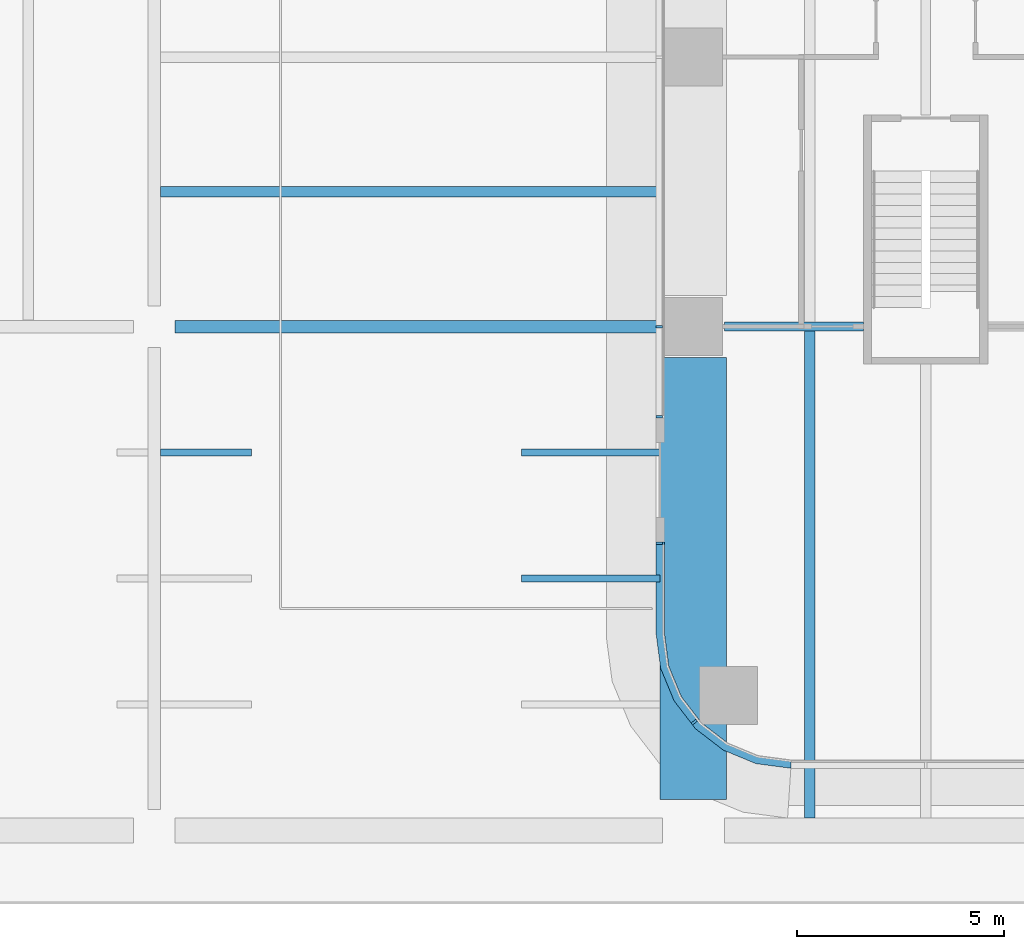
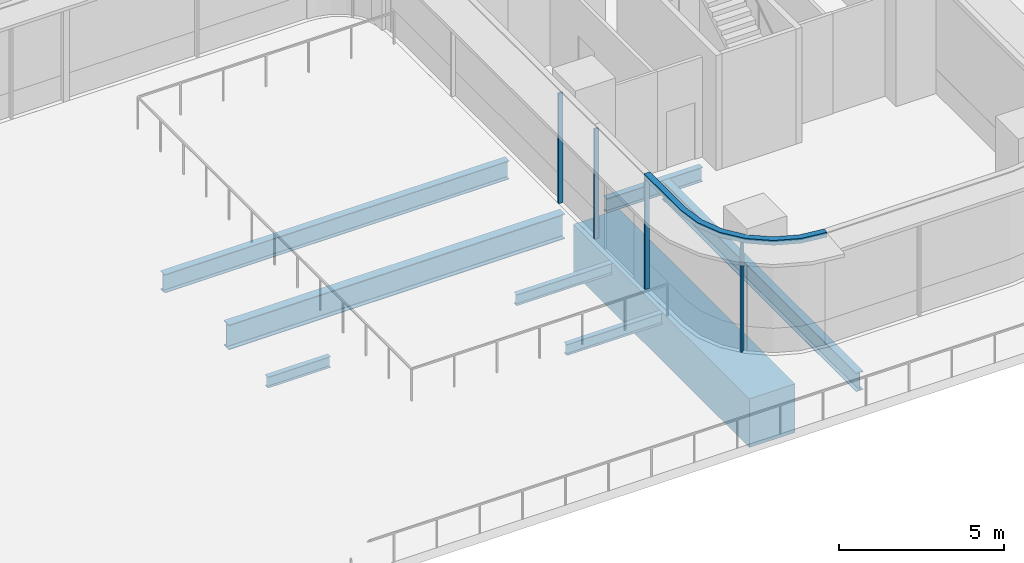
# One storey, part 2 of 29: 8 beams, 5 members, 2 elements without a shape of their own.
"""IFC4 building model written with IfcOpenShell, lengths in metres."""

import ifcopenshell
import ifcopenshell.guid

model = None  # the IFC model being written
_history = None  # IfcOwnerHistory: only IFC2X3 demands one
_inside = {}  # id of a spatial element -> (the spatial element, [elements in it])
_under = {}  # id of a project, library or spatial element -> (it, [spatial elements below it])
_declared = {}  # id of a project -> (the project, [libraries it declares])
_typed = {}  # id of a type object -> (the type object, [elements of that type])
_made_of = {}  # id of a material, layer set ... -> (it, [elements and type objects made of it])


def new_model(schema):
    """Start an empty IFC model of exactly this schema.

    Asked for "IFC4X3", IfcOpenShell would pick the latest addendum, in which some entities
    have other attributes; the version numbers below select the first issue.
    IFC2X3 requires an IfcOwnerHistory on every rooted entity: one is made here for all.
    """
    global model, _history
    if schema == "IFC4X3":
        model = ifcopenshell.file(schema_version=(4, 3, 0, 0))
    else:
        model = ifcopenshell.file(schema=schema)
    _inside.clear()
    _under.clear()
    _declared.clear()
    _typed.clear()
    _made_of.clear()
    _history = None
    if model.schema == "IFC2X3":
        org = make("IfcOrganization", Name="unknown")
        user = make(
            "IfcPersonAndOrganization",
            ThePerson=make("IfcPerson", FamilyName="unknown"),
            TheOrganization=org,
        )
        app = make(
            "IfcApplication",
            ApplicationDeveloper=org,
            Version="unknown",
            ApplicationFullName="unknown",
            ApplicationIdentifier="unknown",
        )
        _history = make(
            "IfcOwnerHistory",
            OwningUser=user,
            OwningApplication=app,
            ChangeAction="ADDED",
            CreationDate=0,
        )
    return model


def make(cls, **values):
    """One entity of the class cls with the attributes given. An attribute that is None is left unset."""
    return model.create_entity(
        cls, **{name: value for name, value in values.items() if value is not None}
    )


def rooted(cls, **values):
    """An entity with a GlobalId (a new one), such as an element, a storey or a relation."""
    return make(cls, GlobalId=ifcopenshell.guid.new(), OwnerHistory=_history, **values)


def si_unit(unit_type, name, prefix=None):
    """IfcSIUnit, for example si_unit("LENGTHUNIT", "METRE", prefix="MILLI")."""
    return make("IfcSIUnit", UnitType=unit_type, Prefix=prefix, Name=name)


def assignment(units):
    """IfcUnitAssignment: the units of a project."""
    return None if units is None else make("IfcUnitAssignment", Units=units)


def point(xyz):
    """IfcCartesianPoint."""
    return None if xyz is None else make("IfcCartesianPoint", Coordinates=xyz)


def direction(xyz):
    """IfcDirection."""
    return None if xyz is None else make("IfcDirection", DirectionRatios=xyz)


def frame(location, z_axis=None, x_axis=None):
    """IfcAxis2Placement3D, a coordinate frame: its origin and axes. An axis left out is left unset."""
    return make(
        "IfcAxis2Placement3D",
        Location=point(location),
        Axis=direction(z_axis),
        RefDirection=direction(x_axis),
    )


def frame_2d(location, x_axis=None):
    """IfcAxis2Placement2D, a coordinate frame in the plane: its origin and x axis."""
    return make(
        "IfcAxis2Placement2D", Location=point(location), RefDirection=direction(x_axis)
    )


def origin():
    """The frame at (0, 0, 0) with its axes left unset."""
    return frame((0.0, 0.0, 0.0))


def origin_2d():
    """The frame at (0, 0) in the plane with its x axis left unset."""
    return frame_2d((0.0, 0.0))


def place(relative_to, where):
    """IfcLocalPlacement: puts the frame where relative to a parent placement (None: the world)."""
    return make(
        "IfcLocalPlacement", PlacementRelTo=relative_to, RelativePlacement=where
    )


def context(
    kind, dimensions, precision=None, world=None, true_north=None, identifier=None
):
    """IfcGeometricRepresentationContext, for example the 3D "Model" context."""
    return make(
        "IfcGeometricRepresentationContext",
        ContextIdentifier=identifier,
        ContextType=kind,
        CoordinateSpaceDimension=dimensions,
        Precision=precision,
        WorldCoordinateSystem=world,
        TrueNorth=true_north,
    )


def subcontext(parent, identifier, kind, view, scale=None):
    """IfcGeometricRepresentationSubContext, for example "Body" below "Model"."""
    return make(
        "IfcGeometricRepresentationSubContext",
        ContextIdentifier=identifier,
        ContextType=kind,
        ParentContext=parent,
        TargetScale=scale,
        TargetView=view,
    )


def project(units=None, contexts=None):
    """IfcProject with its units and contexts."""
    return rooted(
        "IfcProject",
        Name="project",
        RepresentationContexts=contexts,
        UnitsInContext=assignment(units),
    )


def spatial(cls, under=None, at=None, **own):
    """A site, building, storey or space (cls), placed at a placement, below another one or the project."""
    s = rooted(cls, ObjectPlacement=at, **own)
    if under is not None:
        _under.setdefault(under.id(), (under, []))[1].append(s)
    return s


def polyline(points):
    """IfcPolyline through the points."""
    return make("IfcPolyline", Points=[point(p) for p in points])


def profile(cls, at=None, kind="AREA", **sizes):
    """A parametric profile (cls). Its sizes go by their IFC names, for example OverallWidth=200.0."""
    return make(cls, ProfileType=kind, Position=at, **sizes)


def rectangle(**sizes):
    """IfcRectangleProfileDef."""
    return profile("IfcRectangleProfileDef", **sizes)


def i_section(**sizes):
    """IfcIShapeProfileDef."""
    return profile("IfcIShapeProfileDef", **sizes)


def outline(outer, holes=None, kind="AREA"):
    """IfcArbitraryClosedProfileDef: a profile drawn as a closed curve; with holes, ...WithVoids."""
    if holes is None:
        return make("IfcArbitraryClosedProfileDef", ProfileType=kind, OuterCurve=outer)
    return make(
        "IfcArbitraryProfileDefWithVoids",
        ProfileType=kind,
        OuterCurve=outer,
        InnerCurves=holes,
    )


def extrude(swept, where, along, depth):
    """IfcExtrudedAreaSolid: the profile swept, set in the frame where, extruded along a direction by depth."""
    return make(
        "IfcExtrudedAreaSolid",
        SweptArea=swept,
        Position=where,
        ExtrudedDirection=direction(along),
        Depth=depth,
    )


def shape(context_of_items, identifier, shape_type, items):
    """IfcShapeRepresentation: the items that make up one representation, for example the "Body"."""
    return make(
        "IfcShapeRepresentation",
        ContextOfItems=context_of_items,
        RepresentationIdentifier=identifier,
        RepresentationType=shape_type,
        Items=items,
    )


def source(mapping_origin, context_of_items, identifier, shape_type, items):
    """IfcRepresentationMap: a shape defined once, which mapped items show again and again."""
    return make(
        "IfcRepresentationMap",
        MappingOrigin=mapping_origin,
        MappedRepresentation=shape(context_of_items, identifier, shape_type, items),
    )


def transform(
    local_origin,
    x_axis=None,
    y_axis=None,
    z_axis=None,
    scale=None,
    scale2=None,
    scale3=None,
    uniform=True,
):
    """IfcCartesianTransformationOperator3D, or its non-uniform kind. x_axis, y_axis, z_axis: its Axis1, 2, 3."""
    if uniform:
        return make(
            "IfcCartesianTransformationOperator3D",
            Axis1=direction(x_axis),
            Axis2=direction(y_axis),
            LocalOrigin=point(local_origin),
            Scale=scale,
            Axis3=direction(z_axis),
        )
    return make(
        "IfcCartesianTransformationOperator3DnonUniform",
        Axis1=direction(x_axis),
        Axis2=direction(y_axis),
        LocalOrigin=point(local_origin),
        Scale=scale,
        Axis3=direction(z_axis),
        Scale2=scale2,
        Scale3=scale3,
    )


def mapped(mapping_source, mapping_target):
    """IfcMappedItem: shows the shape of a source again, moved by a transform."""
    return make(
        "IfcMappedItem", MappingSource=mapping_source, MappingTarget=mapping_target
    )


def material(Name=None, Category=None):
    """IfcMaterial."""
    return make("IfcMaterial", Name=Name, Category=Category)


def layer(
    of_material, thickness, ventilated=None, Name=None, Category=None, Priority=None
):
    """IfcMaterialLayer: one layer of a wall or slab, of a material (None: an air gap)."""
    return make(
        "IfcMaterialLayer",
        Material=of_material,
        LayerThickness=thickness,
        IsVentilated=ventilated,
        Name=Name,
        Category=Category,
        Priority=Priority,
    )


def layer_set(layers, Name=None):
    """IfcMaterialLayerSet."""
    return make("IfcMaterialLayerSet", MaterialLayers=layers, LayerSetName=Name)


def material_profile(
    of_material, cross_section, Name=None, Category=None, Priority=None
):
    """IfcMaterialProfile: a cross section and its material."""
    return make(
        "IfcMaterialProfile",
        Name=Name,
        Material=of_material,
        Profile=cross_section,
        Priority=Priority,
        Category=Category,
    )


def profile_set(profiles, Name=None, composite=None):
    """IfcMaterialProfileSet."""
    return make(
        "IfcMaterialProfileSet",
        Name=Name,
        MaterialProfiles=profiles,
        CompositeProfile=composite,
    )


def made_of(thing, what):
    """Note that an element or type object is made of a material, layer set ...; save() writes the relation."""
    if what is not None:
        _made_of.setdefault(what.id(), (what, []))[1].append(thing)
    return thing


def type_object(cls, material=None, **own):
    """A type object (cls), such as IfcWallType, which elements share."""
    return made_of(rooted(cls, **own), material)


def element(
    cls,
    number,
    at=None,
    inside=None,
    cuts=None,
    type_object=None,
    material=None,
    context=None,
    identifier="Body",
    shape_type=None,
    held_by="IfcProductDefinitionShape",
    body=None,
    shapes=None,
    **own,
):
    """One element of the class cls, such as IfcWall. Its Tag is "e" and its number.

    at: its placement. inside: the storey or other place that contains it. cuts: it is an
    opening in that element (IfcRelVoidsElement). A single representation is given by context,
    identifier, shape_type and body (its items); several are given by shapes. held_by: the class
    of the entity that holds the representations. save() writes the other relations.
    """
    e = rooted(cls, Tag="e%d" % number, ObjectPlacement=at, **own)
    if body is not None:
        shapes = [shape(context, identifier, shape_type, body)]
    if shapes is not None:
        e.Representation = make(held_by, Representations=shapes)
    if inside is not None:
        _inside.setdefault(inside.id(), (inside, []))[1].append(e)
    if cuts is not None:
        rooted(
            "IfcRelVoidsElement", RelatingBuildingElement=cuts, RelatedOpeningElement=e
        )
    if type_object is not None:
        _typed.setdefault(type_object.id(), (type_object, []))[1].append(e)
    return made_of(e, material)


def aggregate(whole, parts):
    """IfcRelAggregates: a whole, such as a stair, and the parts it consists of."""
    return rooted("IfcRelAggregates", RelatingObject=whole, RelatedObjects=parts)


def save(model, path):
    """Write the relations noted so far, then the file.

    IfcRelAggregates (storeys below a building ...), IfcRelContainedInSpatialStructure (elements
    in a storey), IfcRelDefinesByType, IfcRelAssociatesMaterial and IfcRelDeclares: one each for
    every whole, place, type object, material and project.
    """
    for whole, parts in _under.values():
        aggregate(whole, parts)
    for where, things in _inside.values():
        rooted(
            "IfcRelContainedInSpatialStructure",
            RelatedElements=things,
            RelatingStructure=where,
        )
    for kind, things in _typed.values():
        rooted("IfcRelDefinesByType", RelatedObjects=things, RelatingType=kind)
    for what, things in _made_of.values():
        rooted("IfcRelAssociatesMaterial", RelatedObjects=things, RelatingMaterial=what)
    for by, libraries in _declared.values():
        rooted("IfcRelDeclares", RelatingContext=by, RelatedDefinitions=libraries)
    model.write(path)


model = new_model("IFC4")

# Units and contexts
model_context = context("Model", 3, precision=1e-05, world=origin(), true_north=direction((0.0, 1.0)))
body_context = subcontext(model_context, "Body", "Model", "MODEL_VIEW")
ifc_project = project(units=[si_unit("LENGTHUNIT", "METRE"), si_unit("AREAUNIT", "SQUARE_METRE"), si_unit("VOLUMEUNIT", "CUBIC_METRE"), si_unit("PLANEANGLEUNIT", "RADIAN"), si_unit("MASSUNIT", "GRAM", prefix="KILO")], contexts=[model_context])

# Site, building, storey
site_placement = place(None, origin())
site = spatial("IfcSite", under=ifc_project, at=site_placement, CompositionType="ELEMENT")
building_placement = place(site_placement, origin())
building = spatial("IfcBuilding", under=site, at=building_placement, Name="Trellis Farm Tower", CompositionType="ELEMENT")
storey_placement = place(building_placement, frame((0.0, 0.0, 34.0)))
storey = spatial("IfcBuildingStorey", under=building, at=storey_placement, Name="L06", CompositionType="ELEMENT", Elevation=34.0)

# Beams
ifc_material_1 = material(Name="Steel S355", Category="steel")
ifc_material_profile_1 = material_profile(ifc_material_1, i_section(OverallWidth=0.177978515625, OverallDepth=0.406494140625, WebThickness=0.0078125, FlangeThickness=0.0126953125, FilletRadius=0.01025390625, at=origin_2d()), Name="UB 406x178x60")
ifc_profile_set_1 = profile_set([ifc_material_profile_1], Name="Steel S355")
beam_type_1 = type_object("IfcBeamType", Name="UB 406x178x60 joist", PredefinedType="JOIST", material=ifc_profile_set_1)
shared_shape_1 = source(origin(), body_context, "Body", "SweptSolid", [
    extrude(i_section(OverallWidth=0.177978515625, OverallDepth=0.406494140625, WebThickness=0.0078125, FlangeThickness=0.0126953125, FilletRadius=0.01025390625, at=origin_2d()), origin(), (0.0, 0.0, 1.0), 2.197265625),
])
beam_1_placement = place(storey_placement, frame((-18.447265625, -21.637451171875, -0.55322265625), z_axis=(1.0, 0.0, 0.0), x_axis=(0.0, 1.0, 0.0)))
element("IfcBeam", 1, at=beam_1_placement, inside=storey, type_object=beam_type_1, Name="Floor beam", PredefinedType="JOIST", context=body_context, shape_type="MappedRepresentation", body=[
    mapped(shared_shape_1, transform((0.0, 0.0, 0.0))),
])
ifc_material_profile_2 = material_profile(ifc_material_1, i_section(OverallWidth=0.209228515625, OverallDepth=0.533203125, WebThickness=0.010009765625, FlangeThickness=0.015625, FilletRadius=0.0126953125, at=origin_2d()), Name="UB 533x210x92")
ifc_profile_set_2 = profile_set([ifc_material_profile_2], Name="Steel S355")
beam_type_2 = type_object("IfcBeamType", Name="UB 533x210x92", PredefinedType="BEAM", material=ifc_profile_set_2)
shared_shape_2 = source(origin(), body_context, "Body", "SweptSolid", [
    extrude(i_section(OverallWidth=0.209228515625, OverallDepth=0.533203125, WebThickness=0.010009765625, FlangeThickness=0.015625, FilletRadius=0.0126953125, at=origin_2d()), origin(), (0.0, 0.0, 1.0), 3.35009765625),
])
beam_2_placement = place(storey_placement, frame((-4.85009765625, -18.60009765625, -0.61669921875), z_axis=(1.0, 0.0, 0.0), x_axis=(0.0, 1.0, 0.0)))
element("IfcBeam", 2, at=beam_2_placement, inside=storey, type_object=beam_type_2, Name="Girder", PredefinedType="BEAM", context=body_context, shape_type="MappedRepresentation", body=[
    mapped(shared_shape_2, transform((0.0, 0.0, 0.0))),
])
ifc_material_profile_3 = material_profile(ifc_material_1, i_section(OverallWidth=0.305419921875, OverallDepth=0.91845703125, WebThickness=0.017333984375, FlangeThickness=0.02783203125, FilletRadius=0.01904296875, at=origin_2d()), Name="UB 914x305x253")
ifc_profile_set_3 = profile_set([ifc_material_profile_3], Name="Steel S355")
beam_type_3 = type_object("IfcBeamType", Name="UB 914x305x253", PredefinedType="BEAM", material=ifc_profile_set_3)
shared_shape_3 = source(origin(), body_context, "Body", "SweptSolid", [
    extrude(i_section(OverallWidth=0.305419921875, OverallDepth=0.91845703125, WebThickness=0.017333984375, FlangeThickness=0.02783203125, FilletRadius=0.01904296875, at=origin_2d()), origin(), (0.0, 0.0, 1.0), 11.75),
])
beam_3_placement = place(storey_placement, frame((-18.10009765625, -18.60009765625, -0.80908203125), z_axis=(1.0, 0.0, 0.0), x_axis=(0.0, 1.0, 0.0)))
element("IfcBeam", 3, at=beam_3_placement, inside=storey, type_object=beam_type_3, Name="Girder", PredefinedType="BEAM", context=body_context, shape_type="MappedRepresentation", body=[
    mapped(shared_shape_3, transform((0.0, 0.0, 0.0))),
])
ifc_material_2 = material(Name="Concrete C80/95", Category="concrete")
ifc_material_profile_4 = material_profile(ifc_material_2, rectangle(XDim=1.60009765625, YDim=1.800048828125, at=origin_2d()), Name="RC transfer beam 1600x1800 C80/95")
ifc_profile_set_4 = profile_set([ifc_material_profile_4], Name="Concrete C80/95")
beam_type_4 = type_object("IfcBeamType", Name="RC transfer beam 1600x1800 C80/95", PredefinedType="BEAM", material=ifc_profile_set_4)
shared_shape_4 = source(origin(), body_context, "Body", "SweptSolid", [
    extrude(rectangle(XDim=1.60009765625, YDim=1.800048828125, at=origin_2d()), origin(), (0.0, 0.0, 1.0), 10.64990234375),
])
beam_4_placement = place(storey_placement, frame((-5.60009765625, -30.0, -1.25), z_axis=(0.0, 1.0, 0.0), x_axis=(-1.0, 0.0, 0.0)))
element("IfcBeam", 4, at=beam_4_placement, inside=storey, type_object=beam_type_4, Name="Transfer girder", PredefinedType="BEAM", context=body_context, shape_type="MappedRepresentation", body=[
    mapped(shared_shape_4, transform((0.0, 0.0, 0.0))),
])
shared_shape_5 = source(origin(), body_context, "Body", "SweptSolid", [
    extrude(i_section(OverallWidth=0.177978515625, OverallDepth=0.406494140625, WebThickness=0.0078125, FlangeThickness=0.0126953125, FilletRadius=0.01025390625, at=origin_2d()), origin(), (0.0, 0.0, 1.0), 3.35009765625),
])
for number, where, z_axis, x_axis, name in (
    (5, (-9.75, -24.675048828125, -0.55322265625), (1.0, 0.0, 0.0), (0.0, 1.0, 0.0), "Floor beam"),
    (6, (-9.75, -21.637451171875, -0.55322265625), (1.0, 0.0, 0.0), (0.0, 1.0, 0.0), "Floor beam"),
):
    element("IfcBeam", number, at=place(storey_placement, frame(where, z_axis=z_axis, x_axis=x_axis)), inside=storey, type_object=beam_type_1, Name=name, PredefinedType="JOIST", context=body_context, shape_type="MappedRepresentation", body=[
        mapped(shared_shape_5, transform((0.0, 0.0, 0.0))),
    ])
ifc_material_profile_5 = material_profile(ifc_material_1, i_section(OverallWidth=0.253662109375, OverallDepth=0.68359375, WebThickness=0.012451171875, FlangeThickness=0.021728515625, FilletRadius=0.01513671875, at=origin_2d()), Name="UB 686x254x140")
ifc_profile_set_5 = profile_set([ifc_material_profile_5], Name="Steel S355")
beam_type_5 = type_object("IfcBeamType", Name="UB 686x254x140 joist", PredefinedType="JOIST", material=ifc_profile_set_5)
shared_shape_6 = source(origin(), body_context, "Body", "SweptSolid", [
    extrude(i_section(OverallWidth=0.253662109375, OverallDepth=0.68359375, WebThickness=0.012451171875, FlangeThickness=0.021728515625, FilletRadius=0.01513671875, at=origin_2d()), origin(), (0.0, 0.0, 1.0), 12.04736328125),
])
beam_5_placement = place(storey_placement, frame((-18.447265625, -15.35009765625, -0.691650390625), z_axis=(1.0, 0.0, 0.0), x_axis=(0.0, 1.0, 0.0)))
element("IfcBeam", 7, at=beam_5_placement, inside=storey, type_object=beam_type_5, Name="Floor beam", PredefinedType="JOIST", context=body_context, shape_type="MappedRepresentation", body=[
    mapped(shared_shape_6, transform((0.0, 0.0, 0.0))),
])
shared_shape_7 = source(origin(), body_context, "Body", "SweptSolid", [
    extrude(i_section(OverallWidth=0.253662109375, OverallDepth=0.68359375, WebThickness=0.012451171875, FlangeThickness=0.021728515625, FilletRadius=0.01513671875, at=origin_2d()), origin(), (0.0, 0.0, 1.0), 11.745361328125),
])
beam_6_placement = place(storey_placement, frame((-2.800048828125, -30.449951171875, -0.691650390625), z_axis=(0.0, 1.0, 0.0), x_axis=(-1.0, 0.0, 0.0)))
element("IfcBeam", 8, at=beam_6_placement, inside=storey, type_object=beam_type_5, Name="Floor beam", PredefinedType="JOIST", context=body_context, shape_type="MappedRepresentation", body=[
    mapped(shared_shape_7, transform((0.0, 0.0, 0.0))),
])

# Curtain wall, members
ifc_material_3 = material(Name="Aluminium and glass curtain wall", Category="aluminium")
ifc_layer_1 = layer(ifc_material_3, 0.18994140625)
ifc_layer_set_1 = layer_set([ifc_layer_1], Name="RIBBON CURTAIN WALL CW1")
curtain_wall_type = type_object("IfcCurtainWallType", Name="RIBBON CURTAIN WALL CW1", PredefinedType="NOTDEFINED", material=ifc_layer_set_1)
placement = place(storey_placement, origin())
curtain_wall_1 = element("IfcCurtainWall", 9, at=placement, inside=storey, type_object=curtain_wall_type, Name="CW1 002", PredefinedType="NOTDEFINED")
ifc_material_4 = material(Name="Aluminium extrusion 6063-T6", Category="aluminium")
ifc_material_profile_6 = material_profile(ifc_material_4, rectangle(XDim=0.06005859375, YDim=0.14990234375, at=origin_2d()), Name="MULLION 60x150")
ifc_profile_set_6 = profile_set([ifc_material_profile_6], Name="Aluminium extrusion 6063-T6")
member_type_1 = type_object("IfcMemberType", Name="CW1 MULLION 60x150", PredefinedType="MULLION", material=ifc_profile_set_6)
shared_shape_8 = source(origin(), body_context, "Body", "SweptSolid", [
    extrude(rectangle(XDim=0.06005859375, YDim=0.14990234375, at=origin_2d()), origin(), (0.0, 0.0, 1.0), 4.070068359375),
])
member_1_placement = place(storey_placement, frame((-6.425048828125, -18.60009765625, 0.0), z_axis=(0.0, 0.0, 1.0), x_axis=(0.0, -1.0, 0.0)))
member_1 = element("IfcMember", 10, at=member_1_placement, type_object=member_type_1, Name="MU1 002-02", PredefinedType="MULLION", context=body_context, shape_type="MappedRepresentation", body=[
    mapped(shared_shape_8, transform((0.0, 0.0, 0.0))),
])
member_2_placement = place(storey_placement, frame((-6.425048828125, -20.77001953125, 0.0), z_axis=(0.0, 0.0, 1.0), x_axis=(0.0, -1.0, 0.0)))
member_2 = element("IfcMember", 11, at=member_2_placement, type_object=member_type_1, Name="MU1 002-03", PredefinedType="MULLION", context=body_context, shape_type="MappedRepresentation", body=[
    mapped(shared_shape_8, transform((0.0, 0.0, 0.0))),
])
aggregate(curtain_wall_1, [member_1, member_2])

curtain_wall_2 = element("IfcCurtainWall", 12, at=placement, inside=storey, type_object=curtain_wall_type, Name="CW1 003", PredefinedType="NOTDEFINED")
member_3_placement = place(storey_placement, frame((-6.425048828125, -23.830078125, 0.0), z_axis=(0.0, 0.0, 1.0), x_axis=(0.0, -1.0, 0.0)))
member_3 = element("IfcMember", 13, at=member_3_placement, type_object=member_type_1, Name="MU1 003-01", PredefinedType="MULLION", context=body_context, shape_type="MappedRepresentation", body=[
    mapped(shared_shape_8, transform((0.0, 0.0, 0.0))),
])
member_4_placement = place(storey_placement, frame((-5.578369140625, -28.135498046875, 0.0), z_axis=(0.0, 0.0, 1.0), x_axis=(0.608761429009, -0.793353340291, 0.0)))
member_4 = element("IfcMember", 14, at=member_4_placement, type_object=member_type_1, Name="MU1 003-02", PredefinedType="MULLION", context=body_context, shape_type="MappedRepresentation", body=[
    mapped(shared_shape_8, transform((0.0, 0.0, 0.0))),
])
ifc_layer_2 = layer(ifc_material_4, 0.199951171875)
ifc_layer_set_2 = layer_set([ifc_layer_2], Name="Aluminium extrusion 6063-T6")
member_type_2 = type_object("IfcMemberType", Name="CW1 TRANSOM 200x180", PredefinedType="USERDEFINED", material=ifc_layer_set_2)
shared_shape_9 = source(origin(), body_context, "Body", "SweptSolid", [
    extrude(outline(polyline([(-6.5, -23.800048828125), (-6.5, -26.0), (-6.38916015625, -26.841064453125), (-6.064697265625, -27.625), (-5.548095703125, -28.298095703125), (-4.875, -28.814697265625), (-4.091064453125, -29.13916015625), (-3.25, -29.25), (-3.23681640625, -29.050048828125), (-4.0390625, -28.9443359375), (-4.774169921875, -28.639892578125), (-5.405517578125, -28.155517578125), (-5.889892578125, -27.524169921875), (-6.1943359375, -26.7890625), (-6.300048828125, -25.98681640625), (-6.300048828125, -23.800048828125), (-6.5, -23.800048828125)])), origin(), (0.0, 0.0, 1.0), 0.179931640625),
])
member_5_placement = place(storey_placement, frame((0.0, 0.0, 4.070068359375)))
member_5 = element("IfcMember", 15, at=member_5_placement, type_object=member_type_2, Name="TR1 003", ObjectType="TRANSOM", PredefinedType="USERDEFINED", context=body_context, shape_type="MappedRepresentation", body=[
    mapped(shared_shape_9, transform((0.0, 0.0, 0.0))),
])
aggregate(curtain_wall_2, [member_3, member_4, member_5])

save(model, "model.ifc")
